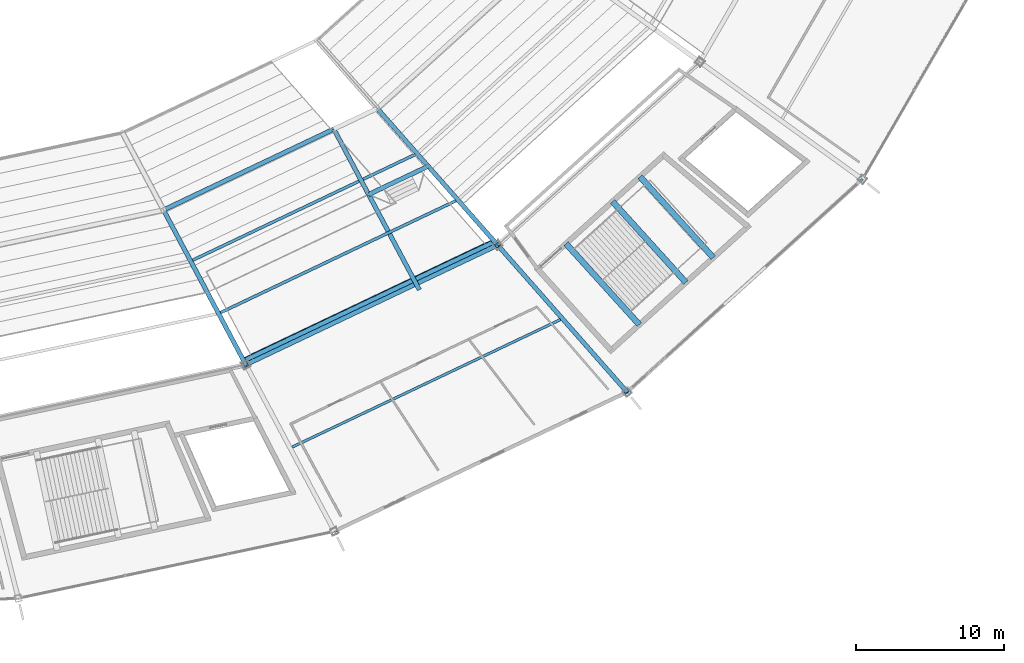
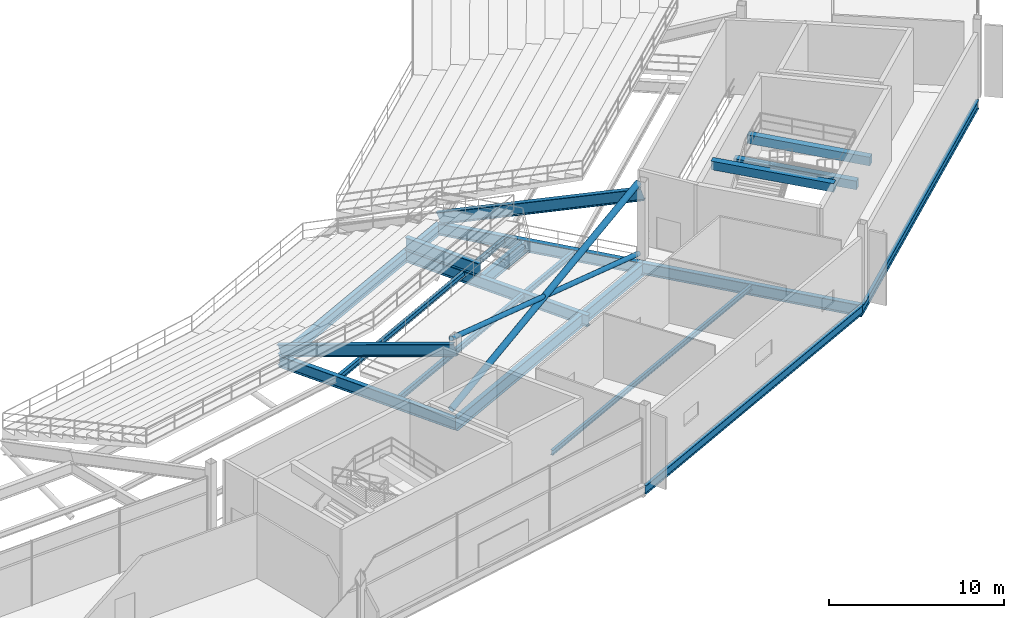
# One storey, part 58 of 186: 18 beams, 2 members.
"""IFC4 building model written with IfcOpenShell, lengths in metres."""

from ifc_helpers import new_model, si_unit, direction, frame, origin, origin_2d, place, context, subcontext, project, spatial, rectangle, hollow_circle, i_section, extrude, material, material_profile, profile_set, type_object, element, save


model = new_model("IFC4")

# Units and contexts
model_context = context("Model", 3, precision=1e-05, world=origin(), true_north=direction((0.0, 1.0)))
body_context = subcontext(model_context, "Body", "Model", "MODEL_VIEW")
ifc_project = project(units=[si_unit("LENGTHUNIT", "METRE"), si_unit("AREAUNIT", "SQUARE_METRE"), si_unit("VOLUMEUNIT", "CUBIC_METRE"), si_unit("PLANEANGLEUNIT", "RADIAN"), si_unit("MASSUNIT", "GRAM", prefix="KILO")], contexts=[model_context])

# Site, building, storey
site_placement = place(None, origin())
site = spatial("IfcSite", under=ifc_project, at=site_placement, CompositionType="ELEMENT")
building_placement = place(site_placement, origin())
building = spatial("IfcBuilding", under=site, at=building_placement, Name="Kazemori Nagisa Stadium", CompositionType="ELEMENT")
storey_placement = place(building_placement, frame((0.0, 0.0, 20.39990234375)))
storey = spatial("IfcBuildingStorey", under=building, at=storey_placement, Name="L04", CompositionType="ELEMENT", Elevation=20.39990234375)

# Beams
ifc_material_1 = material(Name="Steel SN490B", Category="steel")
ifc_material_profile_1 = material_profile(ifc_material_1, i_section(OverallWidth=0.300048828125, OverallDepth=0.800048828125, WebThickness=0.013916015625, FlangeThickness=0.02587890625, FilletRadius=0.01806640625, at=origin_2d()), Name="H-800x300x14x26")
ifc_profile_set_1 = profile_set([ifc_material_profile_1], Name="Steel SN490B")
beam_type_1 = type_object("IfcBeamType", Name="Beam_BG-H800", PredefinedType="BEAM", material=ifc_profile_set_1)
beam_1_placement = place(storey_placement, frame((154.24755859375, 43.260986328125, -0.699951171875), z_axis=(0.903211989129, 0.429194714196, 0.0), x_axis=(-0.429194714196, 0.903211989129, 0.0)))
element("IfcBeam", 1, at=beam_1_placement, inside=storey, type_object=beam_type_1, Name="Ring girder BG-H800 L04 R1-24", PredefinedType="BEAM", context=body_context, shape_type="SweptSolid", body=[
    extrude(i_section(OverallWidth=0.300048828125, OverallDepth=0.800048828125, WebThickness=0.013916015625, FlangeThickness=0.02587890625, FilletRadius=0.01806640625, at=origin_2d()), origin(), (0.0, 0.0, 1.0), 15.997314453125),
])
beam_2_placement = place(storey_placement, frame((154.24755859375, 43.260986328125, -0.699951171875), z_axis=(0.469646804203, -0.882854393036, 0.0), x_axis=(0.882854393036, 0.469646804203, 0.0)))
element("IfcBeam", 2, at=beam_2_placement, inside=storey, type_object=beam_type_1, Name="Radial girder BG-H800 L04 R1-R2-24", PredefinedType="BEAM", context=body_context, shape_type="SweptSolid", body=[
    extrude(i_section(OverallWidth=0.300048828125, OverallDepth=0.800048828125, WebThickness=0.013916015625, FlangeThickness=0.02587890625, FilletRadius=0.01806640625, at=origin_2d()), origin(), (0.0, 0.0, 1.0), 11.84814453125),
])
beam_3_placement = place(storey_placement, frame((168.696533203125, 50.126953125, -0.699951171875), z_axis=(0.66101406015, -0.75037351518, 0.0), x_axis=(0.75037351518, 0.66101406015, 0.0)))
element("IfcBeam", 3, at=beam_3_placement, inside=storey, type_object=beam_type_1, Name="Radial girder BG-H800 L04 R1-R2-25", PredefinedType="BEAM", context=body_context, shape_type="SweptSolid", body=[
    extrude(i_section(OverallWidth=0.300048828125, OverallDepth=0.800048828125, WebThickness=0.013916015625, FlangeThickness=0.02587890625, FilletRadius=0.01806640625, at=origin_2d()), origin(), (0.0, 0.0, 1.0), 12.31103515625),
])
beam_4_placement = place(storey_placement, frame((176.834228515625, 40.88916015625, -0.699951171875), z_axis=(0.661019680997, -0.750368563664, 0.0), x_axis=(0.750368563664, 0.661019680997, 0.0)))
element("IfcBeam", 4, at=beam_4_placement, inside=storey, type_object=beam_type_1, Name="Radial girder BG-H800 L04 R2-R3-25", PredefinedType="BEAM", context=body_context, shape_type="SweptSolid", body=[
    extrude(i_section(OverallWidth=0.300048828125, OverallDepth=0.800048828125, WebThickness=0.013916015625, FlangeThickness=0.02587890625, FilletRadius=0.01806640625, at=origin_2d()), origin(), (0.0, 0.0, 1.0), 13.2578125),
])
beam_5_placement = place(storey_placement, frame((165.760986328125, 48.732177734375, -0.699951171875), z_axis=(0.469662634241, -0.882845971842, 0.0), x_axis=(0.882845971842, 0.469662634241, 0.0)))
element("IfcBeam", 5, at=beam_5_placement, inside=storey, type_object=beam_type_1, Name="Upper vomitory radial carrier girder B24", PredefinedType="BEAM", context=body_context, shape_type="SweptSolid", body=[
    extrude(i_section(OverallWidth=0.300048828125, OverallDepth=0.800048828125, WebThickness=0.013916015625, FlangeThickness=0.02587890625, FilletRadius=0.01806640625, at=origin_2d()), origin(), (0.0, 0.0, 1.0), 12.31103515625),
])
ifc_material_profile_2 = material_profile(ifc_material_1, i_section(OverallWidth=0.300048828125, OverallDepth=0.89990234375, WebThickness=0.01611328125, FlangeThickness=0.028076171875, FilletRadius=0.01806640625, at=origin_2d()), Name="H-900x300x16x28")
ifc_profile_set_2 = profile_set([ifc_material_profile_2], Name="Steel SN490B")
beam_type_2 = type_object("IfcBeamType", Name="Beam_BG-H900", PredefinedType="BEAM", material=ifc_profile_set_2)
beam_6_placement = place(storey_placement, frame((159.81201171875, 32.80078125, -0.75), z_axis=(0.90321938295, 0.42917915404, 0.0), x_axis=(-0.42917915404, 0.90321938295, 0.0)))
element("IfcBeam", 6, at=beam_6_placement, inside=storey, type_object=beam_type_2, Name="Ring girder BG-H900 L04 R2-24", PredefinedType="BEAM", context=body_context, shape_type="SweptSolid", body=[
    extrude(i_section(OverallWidth=0.300048828125, OverallDepth=0.89990234375, WebThickness=0.01611328125, FlangeThickness=0.028076171875, FilletRadius=0.01806640625, at=origin_2d()), origin(), (0.0, 0.0, 1.0), 18.84619140625),
])
ifc_material_2 = material(Name="Concrete C40/50 (Fc42)", Category="concrete")
ifc_material_profile_3 = material_profile(ifc_material_2, rectangle(XDim=0.39990234375, YDim=0.60009765625, at=origin_2d()), Name="RC-BM-400x600")
ifc_profile_set_3 = profile_set([ifc_material_profile_3], Name="Concrete C40/50 (Fc42)")
beam_type_3 = type_object("IfcBeamType", Name="Beam_BG-LND400X600", PredefinedType="BEAM", material=ifc_profile_set_3)
beam_7_placement = place(storey_placement, frame((184.60400390625, 43.835693359375, 2.22021484375), z_axis=(0.671095068472, -0.741371303108, 0.0), x_axis=(0.741371303108, 0.671095068472, 0.0)))
element("IfcBeam", 7, at=beam_7_placement, inside=storey, type_object=beam_type_3, Name="Core stair mid-landing girder ST04-L04-1", PredefinedType="BEAM", context=body_context, shape_type="SweptSolid", body=[
    extrude(rectangle(XDim=0.39990234375, YDim=0.60009765625, at=origin_2d()), origin(), (0.0, 0.0, 1.0), 7.3857421875),
])
for number, where, z_axis, x_axis, name in (
    (8, (186.457275390625, 45.513427734375, 2.22021484375), (0.671113236271, -0.74135485707, 0.0), (0.74135485707, 0.671113236271, 0.0), "Core stair mid-landing girder ST04-L04-2"),
    (9, (181.456787109375, 40.98681640625, 4.880126953125), (0.671113236271, -0.74135485707, 0.0), (0.74135485707, 0.671113236271, 0.0), "Core stair arrival header girder ST04-L04"),
):
    element("IfcBeam", number, at=place(storey_placement, frame(where, z_axis=z_axis, x_axis=x_axis)), inside=storey, type_object=beam_type_3, Name=name, PredefinedType="BEAM", context=body_context, shape_type="SweptSolid", body=[
        extrude(rectangle(XDim=0.39990234375, YDim=0.60009765625, at=origin_2d()), origin(), (0.0, 0.0, 1.0), 7.385986328125),
    ])
ifc_material_profile_4 = material_profile(ifc_material_1, i_section(OverallWidth=0.300048828125, OverallDepth=0.89990234375, WebThickness=0.01806640625, FlangeThickness=0.031982421875, FilletRadius=0.01806640625, at=origin_2d()), Name="H-900x300x18x32")
ifc_profile_set_4 = profile_set([ifc_material_profile_4], Name="Steel SN490B")
beam_type_4 = type_object("IfcBeamType", Name="Beam_BG-TR900", PredefinedType="BEAM", material=ifc_profile_set_4)
beam_8_placement = place(storey_placement, frame((165.760986328125, 48.732177734375, 0.150146484375), z_axis=(0.469650127636, -0.882852625081, 0.0), x_axis=(0.882852625081, 0.469650127636, 0.0)))
element("IfcBeam", 10, at=beam_8_placement, inside=storey, type_object=beam_type_4, Name="Upper vomitory left transfer girder B24", PredefinedType="BEAM", context=body_context, shape_type="SweptSolid", body=[
    extrude(i_section(OverallWidth=0.300048828125, OverallDepth=0.89990234375, WebThickness=0.01806640625, FlangeThickness=0.031982421875, FilletRadius=0.01806640625, at=origin_2d()), origin(), (0.0, 0.0, 1.0), 5.0126953125),
])
beam_9_placement = place(storey_placement, frame((168.115234375, 44.306640625, -0.75), z_axis=(0.903222811557, 0.429171938368, 0.0), x_axis=(-0.429171938368, 0.903222811557, 0.0)))
element("IfcBeam", 11, at=beam_9_placement, inside=storey, type_object=beam_type_4, Name="Upper vomitory portal header girder B24", PredefinedType="BEAM", context=body_context, shape_type="SweptSolid", body=[
    extrude(i_section(OverallWidth=0.300048828125, OverallDepth=0.89990234375, WebThickness=0.01806640625, FlangeThickness=0.031982421875, FilletRadius=0.01806640625, at=origin_2d()), origin(), (0.0, 0.0, 1.0), 4.455322265625),
])
ifc_material_profile_5 = material_profile(ifc_material_1, i_section(OverallWidth=0.175048828125, OverallDepth=0.35009765625, WebThickness=0.007080078125, FlangeThickness=0.010986328125, FilletRadius=0.012939453125, at=origin_2d()), Name="H-350x175x7x11")
ifc_profile_set_5 = profile_set([ifc_material_profile_5], Name="Steel SN490B")
beam_type_5 = type_object("IfcBeamType", Name="Beam_BJ-H350", PredefinedType="JOIST", material=ifc_profile_set_5)
beam_10_placement = place(storey_placement, frame((162.939453125, 27.23046875, -0.474853515625), z_axis=(0.90321332486, 0.429191903228, 0.0), x_axis=(-0.429191903228, 0.90321332486, 0.0)))
element("IfcBeam", 12, at=beam_10_placement, inside=storey, type_object=beam_type_5, Name="Outer bay joist BJ-H350 L04 B24", PredefinedType="JOIST", context=body_context, shape_type="SweptSolid", body=[
    extrude(i_section(OverallWidth=0.175048828125, OverallDepth=0.35009765625, WebThickness=0.007080078125, FlangeThickness=0.010986328125, FilletRadius=0.012939453125, at=origin_2d()), origin(), (0.0, 0.0, 1.0), 20.09033203125),
])
ifc_material_profile_6 = material_profile(ifc_material_1, i_section(OverallWidth=0.199951171875, OverallDepth=0.39990234375, WebThickness=0.008056640625, FlangeThickness=0.012939453125, FilletRadius=0.012939453125, at=origin_2d()), Name="H-400x200x8x13")
ifc_profile_set_6 = profile_set([ifc_material_profile_6], Name="Steel SN490B")
beam_type_6 = type_object("IfcBeamType", Name="Beam_BJ-H400", PredefinedType="JOIST", material=ifc_profile_set_6)
beam_11_placement = place(storey_placement, frame((156.218994140625, 39.86328125, -0.5), z_axis=(0.903212567419, 0.429193497221, 0.0), x_axis=(-0.429193497221, 0.903212567419, 0.0)))
element("IfcBeam", 13, at=beam_11_placement, inside=storey, type_object=beam_type_6, Name="Concourse joist BJ-H400 L04 B24-1", PredefinedType="JOIST", context=body_context, shape_type="SweptSolid", body=[
    extrude(i_section(OverallWidth=0.199951171875, OverallDepth=0.39990234375, WebThickness=0.008056640625, FlangeThickness=0.012939453125, FilletRadius=0.012939453125, at=origin_2d()), origin(), (0.0, 0.0, 1.0), 16.64990234375),
])
beam_12_placement = place(storey_placement, frame((158.1025390625, 36.322998046875, -0.5), z_axis=(0.90321531537, 0.429187714272, 0.0), x_axis=(-0.429187714272, 0.90321531537, 0.0)))
element("IfcBeam", 14, at=beam_12_placement, inside=storey, type_object=beam_type_6, Name="Concourse joist BJ-H400 L04 B24-2", PredefinedType="JOIST", context=body_context, shape_type="SweptSolid", body=[
    extrude(i_section(OverallWidth=0.199951171875, OverallDepth=0.39990234375, WebThickness=0.008056640625, FlangeThickness=0.012939453125, FilletRadius=0.012939453125, at=origin_2d()), origin(), (0.0, 0.0, 1.0), 17.61376953125),
])
ifc_material_profile_7 = material_profile(ifc_material_1, i_section(OverallWidth=0.199951171875, OverallDepth=0.60009765625, WebThickness=0.010986328125, FlangeThickness=0.01708984375, FilletRadius=0.012939453125, at=origin_2d()), Name="H-600x200x11x17")
ifc_profile_set_7 = profile_set([ifc_material_profile_7], Name="Steel SN490B")
beam_type_7 = type_object("IfcBeamType", Name="Beam_BS-H600", PredefinedType="SPANDREL", material=ifc_profile_set_7)
beam_13_placement = place(storey_placement, frame((165.8046875, 21.53564453125, -0.599853515625), z_axis=(0.903215644095, 0.429187022475, 0.0), x_axis=(-0.429187022475, 0.903215644095, 0.0)))
element("IfcBeam", 15, at=beam_13_placement, inside=storey, type_object=beam_type_7, Name="Ring girder BS-H600 L04 R3-24", PredefinedType="SPANDREL", context=body_context, shape_type="SweptSolid", body=[
    extrude(i_section(OverallWidth=0.199951171875, OverallDepth=0.60009765625, WebThickness=0.010986328125, FlangeThickness=0.01708984375, FilletRadius=0.012939453125, at=origin_2d()), origin(), (0.0, 0.0, 1.0), 21.9140625),
])
beam_14_placement = place(storey_placement, frame((185.597900390625, 30.94091796875, -0.599853515625), z_axis=(0.741351531326, 0.671116910084, 0.0), x_axis=(-0.671116910084, 0.741351531326, 0.0)))
element("IfcBeam", 16, at=beam_14_placement, inside=storey, type_object=beam_type_7, Name="Ring girder BS-H600 L04 R3-25", PredefinedType="SPANDREL", context=body_context, shape_type="SweptSolid", body=[
    extrude(i_section(OverallWidth=0.199951171875, OverallDepth=0.60009765625, WebThickness=0.010986328125, FlangeThickness=0.01708984375, FilletRadius=0.012939453125, at=origin_2d()), origin(), (0.0, 0.0, 1.0), 21.44384765625),
])
ifc_material_profile_8 = material_profile(ifc_material_1, i_section(OverallWidth=0.300048828125, OverallDepth=0.800048828125, WebThickness=0.013916015625, FlangeThickness=0.02587890625, FilletRadius=0.01806640625, at=origin_2d()), Name="H-800x300x14x26")
ifc_profile_set_8 = profile_set([ifc_material_profile_8], Name="Steel SN490B")
beam_type_8 = type_object("IfcBeamType", Name="Beam_RK-ST800", PredefinedType="USERDEFINED", material=ifc_profile_set_8)
beam_15_placement = place(storey_placement, frame((154.24755859375, 43.260986328125, 0.02001953125), z_axis=(0.439901103291, -0.826937643493, 0.350230143046), x_axis=(0.882854393036, 0.469646804203, 0.0)))
element("IfcBeam", 17, at=beam_15_placement, inside=storey, type_object=beam_type_8, Name="Raker beam upper backspan RK3-24B", ObjectType="RAKER BEAM", PredefinedType="USERDEFINED", context=body_context, shape_type="SweptSolid", body=[
    extrude(i_section(OverallWidth=0.300048828125, OverallDepth=0.800048828125, WebThickness=0.013916015625, FlangeThickness=0.02587890625, FilletRadius=0.01806640625, at=origin_2d()), origin(), (0.0, 0.0, 1.0), 12.6494140625),
])
beam_16_placement = place(storey_placement, frame((168.696533203125, 50.126953125, 0.02001953125), z_axis=(0.621968103391, -0.706049114848, 0.338600540146), x_axis=(0.75037351518, 0.66101406015, 0.0)))
element("IfcBeam", 18, at=beam_16_placement, inside=storey, type_object=beam_type_8, Name="Raker beam upper backspan RK3-25B", ObjectType="RAKER BEAM", PredefinedType="USERDEFINED", context=body_context, shape_type="SweptSolid", body=[
    extrude(i_section(OverallWidth=0.300048828125, OverallDepth=0.800048828125, WebThickness=0.013916015625, FlangeThickness=0.02587890625, FilletRadius=0.01806640625, at=origin_2d()), origin(), (0.0, 0.0, 1.0), 13.083740234375),
])

# Members
ifc_material_3 = material(Name="Steel STK490", Category="steel")
ifc_material_profile_9 = material_profile(ifc_material_3, hollow_circle(Radius=0.1591796875, WallThickness=0.01025390625, at=origin_2d()), Name="CHS-318.5x10.3")
ifc_profile_set_9 = profile_set([ifc_material_profile_9], Name="Steel STK490")
member_type_1 = type_object("IfcMemberType", Name="Member_TB-CHS318", PredefinedType="BRACE", material=ifc_profile_set_9)
member_1_placement = place(storey_placement, frame((176.70556640625, 41.16015625, 0.150146484375), z_axis=(-0.873703393319, -0.415154158895, 0.253553554213), x_axis=(0.42917915404, -0.90321938295, 0.0)))
element("IfcMember", 19, at=member_1_placement, inside=storey, type_object=member_type_1, Name="Seismic brace TB-CHS318 L04 B24-B", PredefinedType="BRACE", context=body_context, shape_type="SweptSolid", body=[
    extrude(hollow_circle(Radius=0.1591796875, WallThickness=0.01025390625, at=origin_2d()), origin(), (0.0, 0.0, 1.0), 19.48291015625),
])
ifc_material_profile_10 = material_profile(ifc_material_3, hollow_circle(Radius=0.203125, WallThickness=0.014404296875, at=origin_2d()), Name="CHS-406.4x14.3")
ifc_profile_set_10 = profile_set([ifc_material_profile_10], Name="Steel STK490")
member_type_2 = type_object("IfcMemberType", Name="Member_TB-CHS406", PredefinedType="BRACE", material=ifc_profile_set_10)
member_2_placement = place(storey_placement, frame((159.683349609375, 33.07177734375, 0.150146484375), z_axis=(0.873703393319, 0.415154158895, 0.253553554213), x_axis=(-0.42917915404, 0.90321938295, 0.0)))
element("IfcMember", 20, at=member_2_placement, inside=storey, type_object=member_type_2, Name="Seismic brace TB-CHS355 L04 B24-A", PredefinedType="BRACE", context=body_context, shape_type="SweptSolid", body=[
    extrude(hollow_circle(Radius=0.203125, WallThickness=0.014404296875, at=origin_2d()), origin(), (0.0, 0.0, 1.0), 19.48291015625),
])

save(model, "model.ifc")
